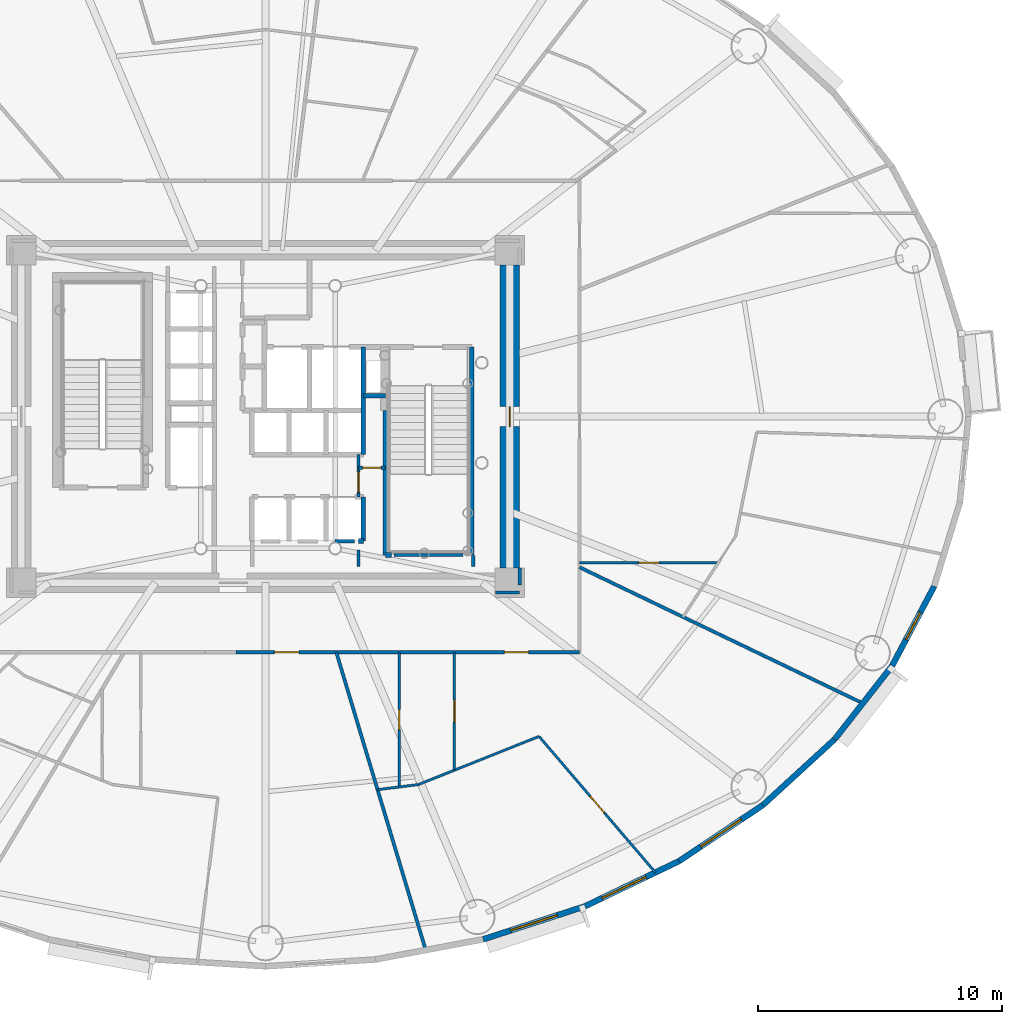
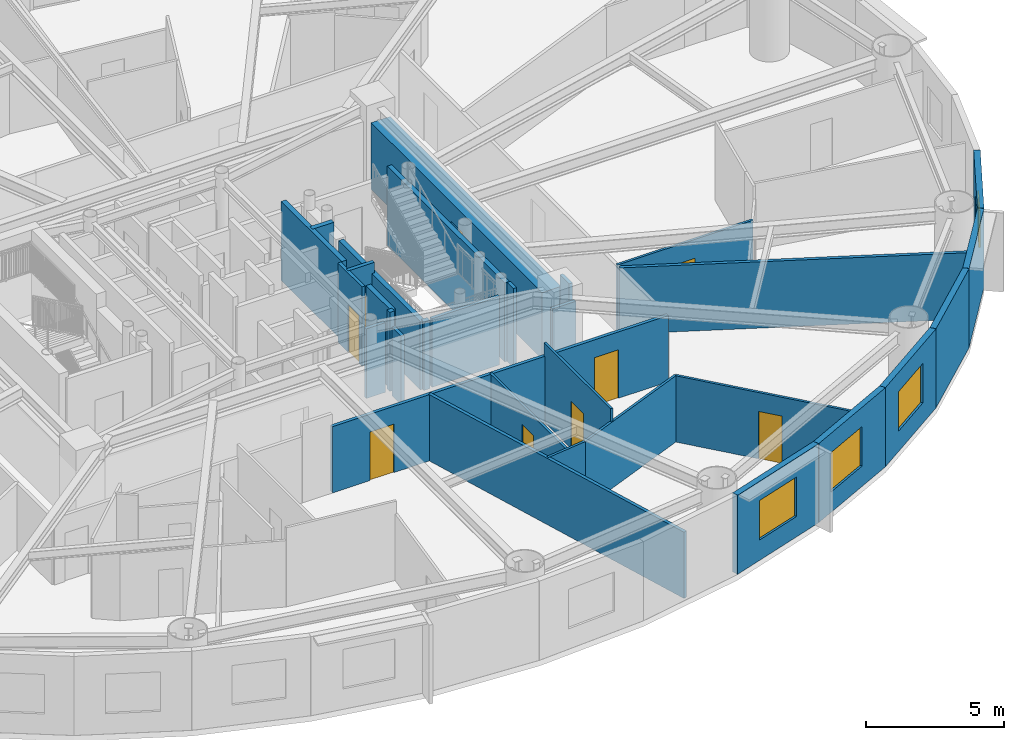
# One storey, part 9 of 18: 31 walls, 9 doors, 4 windows, 13 openings.
"""IFC4 building model written with IfcOpenShell, lengths in metres."""

from ifc_helpers import new_model, si_unit, direction, frame, frame_2d, origin, origin_2d, place, context, subcontext, project, spatial, rectangle, extrude, source, transform, mapped, material, layer, layer_set, type_object, element, fill, save


model = new_model("IFC4")

# Units and contexts
model_context = context("Model", 3, precision=1e-05, world=origin(), true_north=direction((0.0, 1.0)))
body_context = subcontext(model_context, "Body", "Model", "MODEL_VIEW")
ifc_project = project(units=[si_unit("LENGTHUNIT", "METRE"), si_unit("AREAUNIT", "SQUARE_METRE"), si_unit("VOLUMEUNIT", "CUBIC_METRE"), si_unit("PLANEANGLEUNIT", "RADIAN"), si_unit("MASSUNIT", "GRAM", prefix="KILO")], contexts=[model_context])

# Site, building, storey
site_placement = place(None, origin())
site = spatial("IfcSite", under=ifc_project, at=site_placement, CompositionType="ELEMENT")
building_placement = place(site_placement, origin())
building = spatial("IfcBuilding", under=site, at=building_placement, Name="Linh Dai School and Residence Tower", CompositionType="ELEMENT")
storey_placement = place(building_placement, frame((0.0, 0.0, 104.699951171875)))
storey = spatial("IfcBuildingStorey", under=building, at=storey_placement, Name="L24", CompositionType="ELEMENT", Elevation=104.699951171875)

# Wall, opening, window
ifc_material_1 = material(Name="Precast Concrete B45 (C35/45)", Category="concrete")
ifc_layer_1 = layer(ifc_material_1, 0.239990234375)
ifc_layer_set_1 = layer_set([ifc_layer_1], Name="Precast Concrete B45 (C35/45)")
wall_type_1 = type_object("IfcWallType", Name="EW-TC-240", PredefinedType="SOLIDWALL", material=ifc_layer_set_1)
wall_1_placement = place(storey_placement, frame((49.073974609375, 6.95263671875, 0.0), z_axis=(0.0, 0.0, 1.0), x_axis=(-0.951211346073, -0.308540070495, 0.0)))
wall_1 = element("IfcWall", 1, at=wall_1_placement, inside=storey, type_object=wall_type_1, Name="L24 Terracotta Exterior Wall 33", PredefinedType="SOLIDWALL", context=body_context, shape_type="SweptSolid", body=[
    extrude(rectangle(XDim=4.388427734375, YDim=0.239990234375, at=frame_2d((2.1943359375, 0.0))), origin(), (0.0, 0.0, 1.0), 3.5),
])
opening_1_placement = place(wall_1_placement, frame((1.1943359375, 0.0, 0.89990234375)))
opening_1 = element("IfcOpeningElement", 2, at=opening_1_placement, cuts=wall_1, Name="Opening W1", PredefinedType="OPENING", context=body_context, shape_type="SweptSolid", body=[
    extrude(rectangle(XDim=2.0, YDim=1.75, at=origin_2d()), frame((1.0, 0.1298828125, 0.875), z_axis=(0.0, -1.0, 0.0), x_axis=(1.0, 0.0, 0.0)), (0.0, 0.0, 1.0), 0.260009765625),
])
ifc_material_2 = material(Name="Double Low-E Insulated Glazing", Category="glass")
window_type_1 = type_object("IfcWindowType", Name="WN-RES-2000x1750", PartitioningType="DOUBLE_PANEL_VERTICAL", PredefinedType="WINDOW", material=ifc_material_2)
shared_shape_1 = source(origin(), body_context, "Body", "SweptSolid", [
    extrude(rectangle(XDim=2.0, YDim=1.75, at=origin_2d()), frame((1.0, 0.030029296875, 0.875), z_axis=(0.0, -1.0, 0.0), x_axis=(1.0, 0.0, 0.0)), (0.0, 0.0, 1.0), 0.06005859375),
])
window_1_placement = place(opening_1_placement, origin())
window_1 = element("IfcWindow", 3, at=window_1_placement, inside=storey, type_object=window_type_1, Name="L24 Exterior Window 33.1", OverallHeight=1.75, OverallWidth=2.0, PartitioningType="DOUBLE_PANEL_VERTICAL", PredefinedType="WINDOW", context=body_context, shape_type="MappedRepresentation", body=[
    mapped(shared_shape_1, transform((0.0, 0.0, 0.0), x_axis=(1.0, 0.0, 0.0), y_axis=(0.0, 1.0, 0.0), z_axis=(0.0, 0.0, 1.0), scale=1.0)),
])
fill(opening_1, window_1)

wall_2_placement = place(storey_placement, frame((52.92529296875, 8.800537109375, 0.0), z_axis=(0.0, 0.0, 1.0), x_axis=(-0.901589935876, -0.432591709962, 0.0)))
wall_2 = element("IfcWall", 4, at=wall_2_placement, inside=storey, type_object=wall_type_1, Name="L24 Terracotta Exterior Wall 34", PredefinedType="SOLIDWALL", context=body_context, shape_type="SweptSolid", body=[
    extrude(rectangle(XDim=4.271728515625, YDim=0.239990234375, at=frame_2d((2.1357421875, 0.0))), origin(), (0.0, 0.0, 1.0), 3.5),
])
opening_2_placement = place(wall_2_placement, frame((1.4951171875, 0.0, 0.89990234375)))
opening_2 = element("IfcOpeningElement", 5, at=opening_2_placement, cuts=wall_2, Name="Opening W1", PredefinedType="OPENING", context=body_context, shape_type="SweptSolid", body=[
    extrude(rectangle(XDim=2.0, YDim=1.75, at=origin_2d()), frame((1.0, 0.1298828125, 0.875), z_axis=(0.0, -1.0, 0.0), x_axis=(1.0, 0.0, 0.0)), (0.0, 0.0, 1.0), 0.260009765625),
])
window_2_placement = place(opening_2_placement, origin())
window_2 = element("IfcWindow", 6, at=window_2_placement, inside=storey, type_object=window_type_1, Name="L24 Exterior Window 34.1", OverallHeight=1.75, OverallWidth=2.0, PartitioningType="DOUBLE_PANEL_VERTICAL", PredefinedType="WINDOW", context=body_context, shape_type="MappedRepresentation", body=[
    mapped(shared_shape_1, transform((0.0, 0.0, 0.0), x_axis=(1.0, 0.0, 0.0), y_axis=(0.0, 1.0, 0.0), z_axis=(0.0, 0.0, 1.0), scale=1.0)),
])
fill(opening_2, window_2)

wall_3_placement = place(storey_placement, frame((56.3583984375, 11.0966796875, 0.0), z_axis=(0.0, 0.0, 1.0), x_axis=(-0.831221811447, -0.555940914284, 0.0)))
wall_3 = element("IfcWall", 7, at=wall_3_placement, inside=storey, type_object=wall_type_1, Name="L24 Terracotta Exterior Wall 35", PredefinedType="SOLIDWALL", context=body_context, shape_type="SweptSolid", body=[
    extrude(rectangle(XDim=4.130126953125, YDim=0.239990234375, at=frame_2d((2.06494140625, 0.0))), origin(), (0.0, 0.0, 1.0), 3.5),
])
opening_3_placement = place(wall_3_placement, frame((1.065185546875, 0.0, 0.89990234375)))
opening_3 = element("IfcOpeningElement", 8, at=opening_3_placement, cuts=wall_3, Name="Opening W1", PredefinedType="OPENING", context=body_context, shape_type="SweptSolid", body=[
    extrude(rectangle(XDim=2.0, YDim=1.75, at=origin_2d()), frame((1.0, 0.1298828125, 0.875), z_axis=(0.0, -1.0, 0.0), x_axis=(1.0, 0.0, 0.0)), (0.0, 0.0, 1.0), 0.260009765625),
])
window_3_placement = place(opening_3_placement, origin())
window_3 = element("IfcWindow", 9, at=window_3_placement, inside=storey, type_object=window_type_1, Name="L24 Exterior Window 35.1", OverallHeight=1.75, OverallWidth=2.0, PartitioningType="DOUBLE_PANEL_VERTICAL", PredefinedType="WINDOW", context=body_context, shape_type="MappedRepresentation", body=[
    mapped(shared_shape_1, transform((0.0, 0.0, 0.0), x_axis=(1.0, 0.0, 0.0), y_axis=(0.0, 1.0, 0.0), z_axis=(0.0, 0.0, 1.0), scale=1.0)),
])
fill(opening_3, window_3)

# Walls
wall_4_placement = place(storey_placement, frame((59.2890625, 13.783447265625, 0.0), z_axis=(0.0, 0.0, 1.0), x_axis=(-0.737113356241, -0.675769117414, 0.0)))
element("IfcWall", 10, at=wall_4_placement, inside=storey, type_object=wall_type_1, Name="L24 Terracotta Exterior Wall 36", PredefinedType="SOLIDWALL", context=body_context, shape_type="SweptSolid", body=[
    extrude(rectangle(XDim=3.975830078125, YDim=0.239990234375, at=frame_2d((1.98779296875, 0.0))), origin(), (0.0, 0.0, 1.0), 3.5),
])
wall_5_placement = place(storey_placement, frame((61.645263671875, 16.79443359375, 0.0), z_axis=(0.0, 0.0, 1.0), x_axis=(-0.616272103517, -0.787533297345, 0.0)))
element("IfcWall", 11, at=wall_5_placement, inside=storey, type_object=wall_type_1, Name="L24 Terracotta Exterior Wall 37", PredefinedType="SOLIDWALL", context=body_context, shape_type="SweptSolid", body=[
    extrude(rectangle(XDim=3.8232421875, YDim=0.239990234375, at=frame_2d((1.91162109375, 0.0))), origin(), (0.0, 0.0, 1.0), 3.5),
])

# Wall, opening, window
wall_6_placement = place(storey_placement, frame((63.3701171875, 20.054931640625, 0.0), z_axis=(0.0, 0.0, 1.0), x_axis=(-0.467614004126, -0.883932770716, 0.0)))
wall_6 = element("IfcWall", 12, at=wall_6_placement, inside=storey, type_object=wall_type_1, Name="L24 Terracotta Exterior Wall 38", PredefinedType="SOLIDWALL", context=body_context, shape_type="SweptSolid", body=[
    extrude(rectangle(XDim=3.688720703125, YDim=0.239990234375, at=frame_2d((1.84423828125, 0.0))), origin(), (0.0, 0.0, 1.0), 3.5),
])
opening_4_placement = place(wall_6_placement, frame((1.21923828125, 0.0, 0.89990234375)))
opening_4 = element("IfcOpeningElement", 13, at=opening_4_placement, cuts=wall_6, Name="Opening W3", PredefinedType="OPENING", context=body_context, shape_type="SweptSolid", body=[
    extrude(rectangle(XDim=1.25, YDim=1.64990234375, at=origin_2d()), frame((0.625, 0.1298828125, 0.824951171875), z_axis=(0.0, -1.0, 0.0), x_axis=(1.0, 0.0, 0.0)), (0.0, 0.0, 1.0), 0.260009765625),
])
window_type_2 = type_object("IfcWindowType", Name="WN-RES-1250x1650", PartitioningType="SINGLE_PANEL", PredefinedType="WINDOW", material=ifc_material_2)
shared_shape_2 = source(origin(), body_context, "Body", "SweptSolid", [
    extrude(rectangle(XDim=1.25, YDim=1.64990234375, at=origin_2d()), frame((0.625, 0.030029296875, 0.824951171875), z_axis=(0.0, -1.0, 0.0), x_axis=(1.0, 0.0, 0.0)), (0.0, 0.0, 1.0), 0.06005859375),
])
window_4_placement = place(opening_4_placement, origin())
window_4 = element("IfcWindow", 14, at=window_4_placement, inside=storey, type_object=window_type_2, Name="L24 Dwelling Window U2409-BD1", OverallHeight=1.64990234375, OverallWidth=1.25, PartitioningType="SINGLE_PANEL", PredefinedType="WINDOW", context=body_context, shape_type="MappedRepresentation", body=[
    mapped(shared_shape_2, transform((0.0, 0.0, 0.0), x_axis=(1.0, 0.0, 0.0), y_axis=(0.0, 1.0, 0.0), z_axis=(0.0, 0.0, 1.0), scale=1.0)),
])
fill(opening_4, window_4)

# Wall, openings, doors
ifc_material_3 = material(Name="Autoclaved Aerated Concrete Blockwork", Category="masonry")
ifc_layer_2 = layer(ifc_material_3, 0.135009765625)
ifc_layer_set_2 = layer_set([ifc_layer_2], Name="Autoclaved Aerated Concrete Blockwork")
wall_type_2 = type_object("IfcWallType", Name="IW-CORR-135-EI90", PredefinedType="PARTITIONING", material=ifc_layer_set_2)
wall_7_placement = place(storey_placement, frame((34.794921875, 17.35009765625, 0.0), z_axis=(0.0, 0.0, 1.0), x_axis=(1.0, 0.0, 0.0)))
wall_7 = element("IfcWall", 15, at=wall_7_placement, inside=storey, type_object=wall_type_2, Name="L24 Interior Partition Wall 041", PredefinedType="PARTITIONING", context=body_context, shape_type="SweptSolid", body=[
    extrude(rectangle(XDim=14.05517578125, YDim=0.135009765625, at=frame_2d((7.027587890625, 0.0))), origin(), (0.0, 0.0, 1.0), 2.93505859375),
])
opening_5_placement = place(wall_7_placement, frame((1.570556640625, 0.0, 0.0)))
opening_5 = element("IfcOpeningElement", 16, at=opening_5_placement, cuts=wall_7, Name="Opening D03", PredefinedType="OPENING", context=body_context, shape_type="SweptSolid", body=[
    extrude(rectangle(XDim=1.0, YDim=2.14990234375, at=origin_2d()), frame((0.5, 0.07763671875, 1.074951171875), z_axis=(0.0, -1.0, 0.0), x_axis=(1.0, 0.0, 0.0)), (0.0, 0.0, 1.0), 0.155029296875),
])
opening_6_placement = place(wall_7_placement, frame((10.97607421875, 0.0, 0.0)))
opening_6 = element("IfcOpeningElement", 17, at=opening_6_placement, cuts=wall_7, Name="Opening D03", PredefinedType="OPENING", context=body_context, shape_type="SweptSolid", body=[
    extrude(rectangle(XDim=1.0, YDim=2.14990234375, at=origin_2d()), frame((0.5, 0.07763671875, 1.074951171875), z_axis=(0.0, -1.0, 0.0), x_axis=(1.0, 0.0, 0.0)), (0.0, 0.0, 1.0), 0.155029296875),
])
ifc_material_4 = material(Name="Fire-Rated Solid Timber Entrance Door", Category="wood")
door_type_1 = type_object("IfcDoorType", Name="DR-FLAT-1000x2150-FD60S", OperationType="NOTDEFINED", PredefinedType="DOOR", material=ifc_material_4)
shared_shape_3 = source(origin(), body_context, "Body", "SweptSolid", [
    extrude(rectangle(XDim=1.0, YDim=2.14990234375, at=origin_2d()), frame((0.5, 0.02490234375, 1.074951171875), z_axis=(0.0, -1.0, 0.0), x_axis=(1.0, 0.0, 0.0)), (0.0, 0.0, 1.0), 0.050048828125),
])
door_1_placement = place(opening_5_placement, origin())
door_1 = element("IfcDoor", 18, at=door_1_placement, inside=storey, type_object=door_type_1, Name="L24 U2407 Apartment Entrance Door", OperationType="SINGLE_SWING_RIGHT", OverallHeight=2.14990234375, OverallWidth=1.0, PredefinedType="DOOR", context=body_context, shape_type="MappedRepresentation", body=[
    mapped(shared_shape_3, transform((0.0, 0.0, 0.0), x_axis=(1.0, 0.0, 0.0), y_axis=(0.0, 1.0, 0.0), z_axis=(0.0, 0.0, 1.0), scale=1.0)),
])
fill(opening_5, door_1)
door_2_placement = place(opening_6_placement, origin())
door_2 = element("IfcDoor", 19, at=door_2_placement, inside=storey, type_object=door_type_1, Name="L24 U2408 Apartment Entrance Door", OperationType="SINGLE_SWING_RIGHT", OverallHeight=2.14990234375, OverallWidth=1.0, PredefinedType="DOOR", context=body_context, shape_type="MappedRepresentation", body=[
    mapped(shared_shape_3, transform((0.0, 0.0, 0.0), x_axis=(1.0, 0.0, 0.0), y_axis=(0.0, 1.0, 0.0), z_axis=(0.0, 0.0, 1.0), scale=1.0)),
])
fill(opening_6, door_2)

# Wall
wall_8_placement = place(storey_placement, frame((38.896240234375, 17.35009765625, 0.0), z_axis=(0.0, 0.0, 1.0), x_axis=(0.287463970392, -0.957791452105, 0.0)))
element("IfcWall", 20, at=wall_8_placement, inside=storey, type_object=wall_type_2, Name="L24 Interior Partition Wall 065", PredefinedType="PARTITIONING", context=body_context, shape_type="SweptSolid", body=[
    extrude(rectangle(XDim=12.734375, YDim=0.135009765625, at=frame_2d((6.3671875, 0.0))), origin(), (0.0, 0.0, 1.0), 2.93505859375),
])

# Wall, opening, door
wall_9_placement = place(storey_placement, frame((39.800048828125, 23.699951171875, 0.0), z_axis=(0.0, 0.0, 1.0), x_axis=(0.0, 1.0, 0.0)))
wall_9 = element("IfcWall", 21, at=wall_9_placement, inside=storey, type_object=wall_type_2, Name="L24 Interior Partition Wall 067", PredefinedType="PARTITIONING", context=body_context, shape_type="SweptSolid", body=[
    extrude(rectangle(XDim=1.75, YDim=0.135009765625, at=frame_2d((0.875, 0.0))), origin(), (0.0, 0.0, 1.0), 3.5),
])
opening_7_placement = place(wall_9_placement, frame((0.2099609375, 0.0, 0.0)))
opening_7 = element("IfcOpeningElement", 22, at=opening_7_placement, cuts=wall_9, Name="Opening D06", PredefinedType="OPENING", context=body_context, shape_type="SweptSolid", body=[
    extrude(rectangle(XDim=0.820068359375, YDim=2.10009765625, at=origin_2d()), frame((0.41015625, 0.07763671875, 1.050048828125), z_axis=(0.0, -1.0, 0.0), x_axis=(1.0, 0.0, 0.0)), (0.0, 0.0, 1.0), 0.155029296875),
])
ifc_material_5 = material(Name="Moisture-Resistant Timber Bathroom Door", Category="wood")
door_type_2 = type_object("IfcDoorType", Name="DR-WET-820x2100", OperationType="NOTDEFINED", PredefinedType="DOOR", material=ifc_material_5)
shared_shape_4 = source(origin(), body_context, "Body", "SweptSolid", [
    extrude(rectangle(XDim=0.820068359375, YDim=2.10009765625, at=origin_2d()), frame((0.41015625, 0.02490234375, 1.050048828125), z_axis=(0.0, -1.0, 0.0), x_axis=(1.0, 0.0, 0.0)), (0.0, 0.0, 1.0), 0.050048828125),
])
door_3_placement = place(opening_7_placement, origin())
door_3 = element("IfcDoor", 23, at=door_3_placement, inside=storey, type_object=door_type_2, Name="L24 SE Electrical Closet Door", OperationType="SINGLE_SWING_RIGHT", OverallHeight=2.10009765625, OverallWidth=0.820068359375, PredefinedType="DOOR", context=body_context, shape_type="MappedRepresentation", body=[
    mapped(shared_shape_4, transform((0.0, 0.0, 0.0), x_axis=(1.0, 0.0, 0.0), y_axis=(0.0, 1.0, 0.0), z_axis=(0.0, 0.0, 1.0), scale=1.0)),
])
fill(opening_7, door_3)

# Walls
wall_10_placement = place(storey_placement, frame((48.85009765625, 20.830322265625, 0.0), z_axis=(0.0, 0.0, 1.0), x_axis=(0.901472427533, -0.432836530803, 0.0)))
element("IfcWall", 24, at=wall_10_placement, inside=storey, type_object=wall_type_2, Name="L24 Interior Partition Wall 087", PredefinedType="PARTITIONING", context=body_context, shape_type="SweptSolid", body=[
    extrude(rectangle(XDim=12.86865234375, YDim=0.135009765625, at=frame_2d((6.434326171875, 0.0))), origin(), (0.0, 0.0, 1.0), 2.93505859375),
])
wall_11_placement = place(storey_placement, frame((44.080078125, 21.330078125, 0.0), z_axis=(0.0, 0.0, 1.0), x_axis=(-1.0, 0.0, 0.0)))
element("IfcWall", 25, at=wall_11_placement, inside=storey, type_object=wall_type_2, Name="L24 Interior Partition Wall 098", PredefinedType="PARTITIONING", context=body_context, shape_type="SweptSolid", body=[
    extrude(rectangle(XDim=2.820068359375, YDim=0.135009765625, at=frame_2d((1.41015625, 0.0))), origin(), (0.0, 0.0, 1.0), 3.03515625),
])
wall_12_placement = place(storey_placement, frame((39.639892578125, 21.89990234375, 0.0), z_axis=(0.0, 0.0, 1.0), x_axis=(-1.0, 0.0, 0.0)))
element("IfcWall", 26, at=wall_12_placement, inside=storey, type_object=wall_type_2, Name="L24 Interior Partition Wall 101", PredefinedType="PARTITIONING", context=body_context, shape_type="SweptSolid", body=[
    extrude(rectangle(XDim=0.7998046875, YDim=0.135009765625, at=frame_2d((0.39990234375, 0.0))), origin(), (0.0, 0.0, 1.0), 3.0849609375),
])
wall_13_placement = place(storey_placement, frame((39.800048828125, 20.860107421875, 0.0), z_axis=(0.0, 0.0, 1.0), x_axis=(0.0, 1.0, 0.0)))
element("IfcWall", 27, at=wall_13_placement, inside=storey, type_object=wall_type_2, Name="L24 Interior Partition Wall 103", PredefinedType="PARTITIONING", context=body_context, shape_type="SweptSolid", body=[
    extrude(rectangle(XDim=0.679931640625, YDim=0.135009765625, at=frame_2d((0.33984375, 0.0))), origin(), (0.0, 0.0, 1.0), 3.03515625),
])
wall_14_placement = place(storey_placement, frame((44.5, 20.860107421875, 0.0), z_axis=(0.0, 0.0, 1.0), x_axis=(0.0, 1.0, 0.0)))
element("IfcWall", 28, at=wall_14_placement, inside=storey, type_object=wall_type_2, Name="L24 Interior Partition Wall 105", PredefinedType="PARTITIONING", context=body_context, shape_type="SweptSolid", body=[
    extrude(rectangle(XDim=0.4599609375, YDim=0.135009765625, at=frame_2d((0.22998046875, 0.0))), origin(), (0.0, 0.0, 1.0), 3.5),
])
wall_15_placement = place(storey_placement, frame((45.409912109375, 19.800048828125, 0.0), z_axis=(0.0, 0.0, 1.0), x_axis=(1.0, 0.0, 0.0)))
element("IfcWall", 29, at=wall_15_placement, inside=storey, type_object=wall_type_2, Name="L24 Interior Partition Wall 115", PredefinedType="PARTITIONING", context=body_context, shape_type="SweptSolid", body=[
    extrude(rectangle(XDim=0.989990234375, YDim=0.135009765625, at=frame_2d((0.4951171875, 0.0))), origin(), (0.0, 0.0, 1.0), 2.93505859375),
])
wall_16_placement = place(storey_placement, frame((46.39990234375, 20.107421875, 0.0), z_axis=(0.0, 0.0, 1.0), x_axis=(0.0, 1.0, 0.0)))
element("IfcWall", 30, at=wall_16_placement, inside=storey, type_object=wall_type_2, Name="L24 Interior Partition Wall 116", PredefinedType="PARTITIONING", context=body_context, shape_type="SweptSolid", body=[
    extrude(rectangle(XDim=0.6826171875, YDim=0.135009765625, at=frame_2d((0.34130859375, 0.0))), origin(), (0.0, 0.0, 1.0), 3.5),
])

# Wall, opening, door
ifc_layer_3 = layer(ifc_material_3, 0.14990234375)
ifc_layer_set_3 = layer_set([ifc_layer_3], Name="Autoclaved Aerated Concrete Blockwork")
wall_type_3 = type_object("IfcWallType", Name="IW-SCH-150-EI60", PredefinedType="PARTITIONING", material=ifc_layer_set_3)
wall_17_placement = place(storey_placement, frame((39.800048828125, 24.89990234375, 0.0), z_axis=(0.0, 0.0, 1.0), x_axis=(1.0, 0.0, 0.0)))
wall_17 = element("IfcWall", 31, at=wall_17_placement, inside=storey, type_object=wall_type_3, Name="L24 Interior Partition Wall 068", PredefinedType="PARTITIONING", context=body_context, shape_type="SweptSolid", body=[
    extrude(rectangle(XDim=1.099853515625, YDim=0.14990234375, at=frame_2d((0.5498046875, 0.0))), origin(), (0.0, 0.0, 1.0), 3.5),
])
opening_8_placement = place(wall_17_placement, frame((0.169921875, 0.0, 0.0)))
opening_8 = element("IfcOpeningElement", 32, at=opening_8_placement, cuts=wall_17, Name="Opening D08", PredefinedType="OPENING", context=body_context, shape_type="SweptSolid", body=[
    extrude(rectangle(XDim=0.760009765625, YDim=2.10009765625, at=origin_2d()), frame((0.3798828125, 0.0849609375, 1.050048828125), z_axis=(0.0, -1.0, 0.0), x_axis=(1.0, 0.0, 0.0)), (0.0, 0.0, 1.0), 0.169921875),
])
ifc_material_6 = material(Name="Engineered Timber Closet and Study Door", Category="wood")
door_type_3 = type_object("IfcDoorType", Name="DR-CMP-760x2100", OperationType="NOTDEFINED", PredefinedType="DOOR", material=ifc_material_6)
shared_shape_5 = source(origin(), body_context, "Body", "SweptSolid", [
    extrude(rectangle(XDim=0.760009765625, YDim=2.10009765625, at=origin_2d()), frame((0.3798828125, 0.02490234375, 1.050048828125), z_axis=(0.0, -1.0, 0.0), x_axis=(1.0, 0.0, 0.0)), (0.0, 0.0, 1.0), 0.050048828125),
])
door_4_placement = place(opening_8_placement, origin())
door_4 = element("IfcDoor", 33, at=door_4_placement, inside=storey, type_object=door_type_3, Name="L24 NE Equipment Store Door", OperationType="SINGLE_SWING_LEFT", OverallHeight=2.10009765625, OverallWidth=0.760009765625, PredefinedType="DOOR", context=body_context, shape_type="MappedRepresentation", body=[
    mapped(shared_shape_5, transform((0.0, 0.0, 0.0), x_axis=(1.0, 0.0, 0.0), y_axis=(0.0, 1.0, 0.0), z_axis=(0.0, 0.0, 1.0), scale=1.0)),
])
fill(opening_8, door_4)

# Walls
ifc_material_7 = material(Name="Concrete B45 (C35/45)", Category="concrete")
ifc_layer_4 = layer(ifc_material_7, 0.199951171875)
ifc_layer_set_4 = layer_set([ifc_layer_4], Name="Concrete B45 (C35/45)")
wall_type_4 = type_object("IfcWallType", Name="IW-SHAFT-200-EI120", PredefinedType="PARTITIONING", material=ifc_layer_set_4)
wall_18_placement = place(storey_placement, frame((39.800048828125, 21.89990234375, 0.0), z_axis=(0.0, 0.0, 1.0), x_axis=(1.0, 0.0, 0.0)))
element("IfcWall", 34, at=wall_18_placement, inside=storey, type_object=wall_type_4, Name="L24 Interior Partition Wall 066", PredefinedType="PARTITIONING", context=body_context, shape_type="SweptSolid", body=[
    extrude(rectangle(XDim=0.199951171875, YDim=0.199951171875, at=frame_2d((0.10009765625, 0.0))), origin(), (0.0, 0.0, 1.0), 3.5),
])
wall_19_placement = place(storey_placement, frame((40.0, 21.89990234375, 0.0), z_axis=(0.0, 0.0, 1.0), x_axis=(0.0, 1.0, 0.0)))
element("IfcWall", 35, at=wall_19_placement, inside=storey, type_object=wall_type_4, Name="L24 Interior Partition Wall 070", PredefinedType="PARTITIONING", context=body_context, shape_type="SweptSolid", body=[
    extrude(rectangle(XDim=1.800048828125, YDim=0.199951171875, at=frame_2d((0.89990234375, 0.0))), origin(), (0.0, 0.0, 1.0), 3.5),
])
wall_20_placement = place(storey_placement, frame((40.0, 25.449951171875, 0.0), z_axis=(0.0, 0.0, 1.0), x_axis=(0.0, 1.0, 0.0)))
element("IfcWall", 36, at=wall_20_placement, inside=storey, type_object=wall_type_4, Name="L24 Interior Partition Wall 071", PredefinedType="PARTITIONING", context=body_context, shape_type="SweptSolid", body=[
    extrude(rectangle(XDim=4.400146484375, YDim=0.199951171875, at=frame_2d((2.2001953125, 0.0))), origin(), (0.0, 0.0, 1.0), 3.5),
])
wall_21_placement = place(storey_placement, frame((40.0, 27.85009765625, 0.0), z_axis=(0.0, 0.0, 1.0), x_axis=(1.0, 0.0, 0.0)))
element("IfcWall", 37, at=wall_21_placement, inside=storey, type_object=wall_type_4, Name="L24 Interior Partition Wall 072", PredefinedType="PARTITIONING", context=body_context, shape_type="SweptSolid", body=[
    extrude(rectangle(XDim=0.89990234375, YDim=0.199951171875, at=frame_2d((0.449951171875, 0.0))), origin(), (0.0, 0.0, 1.0), 3.5),
])
wall_22_placement = place(storey_placement, frame((40.89990234375, 21.330078125, 0.0), z_axis=(0.0, 0.0, 1.0), x_axis=(0.0, 1.0, 0.0)))
element("IfcWall", 38, at=wall_22_placement, inside=storey, type_object=wall_type_4, Name="L24 Interior Partition Wall 074", PredefinedType="PARTITIONING", context=body_context, shape_type="SweptSolid", body=[
    extrude(rectangle(XDim=5.909912109375, YDim=0.199951171875, at=frame_2d((2.955078125, 0.0))), origin(), (0.0, 0.0, 1.0), 3.03515625),
])
wall_23_placement = place(storey_placement, frame((40.89990234375, 21.330078125, 0.0), z_axis=(0.0, 0.0, 1.0), x_axis=(1.0, 0.0, 0.0)))
element("IfcWall", 39, at=wall_23_placement, inside=storey, type_object=wall_type_4, Name="L24 Interior Partition Wall 075", PredefinedType="PARTITIONING", context=body_context, shape_type="SweptSolid", body=[
    extrude(rectangle(XDim=0.25, YDim=0.199951171875, at=frame_2d((0.125, 0.0))), origin(), (0.0, 0.0, 1.0), 3.03515625),
])
wall_24_placement = place(storey_placement, frame((44.43994140625, 21.330078125, 0.0), z_axis=(0.0, 0.0, 1.0), x_axis=(0.0, 1.0, 0.0)))
element("IfcWall", 40, at=wall_24_placement, inside=storey, type_object=wall_type_4, Name="L24 Interior Partition Wall 080", PredefinedType="PARTITIONING", context=body_context, shape_type="SweptSolid", body=[
    extrude(rectangle(XDim=8.52001953125, YDim=0.199951171875, at=frame_2d((4.260009765625, 0.0))), origin(), (0.0, 0.0, 1.0), 3.5),
])
ifc_material_8 = material(Name="Gypsum Plasterboard Acoustic Stud Partition", Category="masonry")
ifc_layer_5 = layer(ifc_material_8, 0.10009765625)
ifc_layer_set_5 = layer_set([ifc_layer_5], Name="Gypsum Plasterboard Acoustic Stud Partition")
wall_type_5 = type_object("IfcWallType", Name="IW-UNIT-100", PredefinedType="PARTITIONING", material=ifc_layer_set_5)
wall_25_placement = place(storey_placement, frame((40.583740234375, 11.7275390625, 0.0), z_axis=(0.0, 0.0, 1.0), x_axis=(0.992400317705, 0.123051247123, 0.0)))
element("IfcWall", 41, at=wall_25_placement, inside=storey, type_object=wall_type_5, Name="L24 Interior Partition Wall 073", PredefinedType="PARTITIONING", context=body_context, shape_type="SweptSolid", body=[
    extrude(rectangle(XDim=1.680419921875, YDim=0.10009765625, at=frame_2d((0.84033203125, 0.0))), origin(), (0.0, 0.0, 1.0), 2.93505859375),
])

# Wall, opening, door
wall_26_placement = place(storey_placement, frame((41.468505859375, 11.837158203125, 0.0), z_axis=(0.0, 0.0, 1.0), x_axis=(0.0, 1.0, 0.0)))
wall_26 = element("IfcWall", 42, at=wall_26_placement, inside=storey, type_object=wall_type_5, Name="L24 Interior Partition Wall 076", PredefinedType="PARTITIONING", context=body_context, shape_type="SweptSolid", body=[
    extrude(rectangle(XDim=5.512939453125, YDim=0.10009765625, at=frame_2d((2.75634765625, 0.0))), origin(), (0.0, 0.0, 1.0), 2.93505859375),
])
opening_9_placement = place(wall_26_placement, frame((2.346435546875, 0.0, 0.0)))
opening_9 = element("IfcOpeningElement", 43, at=opening_9_placement, cuts=wall_26, Name="Opening D06", PredefinedType="OPENING", context=body_context, shape_type="SweptSolid", body=[
    extrude(rectangle(XDim=0.820068359375, YDim=2.10009765625, at=origin_2d()), frame((0.41015625, 0.06005859375, 1.050048828125), z_axis=(0.0, -1.0, 0.0), x_axis=(1.0, 0.0, 0.0)), (0.0, 0.0, 1.0), 0.1201171875),
])
door_5_placement = place(opening_9_placement, origin())
door_5 = element("IfcDoor", 44, at=door_5_placement, inside=storey, type_object=door_type_2, Name="L24 Apartment U2408 Bathroom 1 Door", OperationType="SINGLE_SWING_LEFT", OverallHeight=2.10009765625, OverallWidth=0.820068359375, PredefinedType="DOOR", context=body_context, shape_type="MappedRepresentation", body=[
    mapped(shared_shape_4, transform((0.0, 0.0, 0.0), x_axis=(1.0, 0.0, 0.0), y_axis=(0.0, 1.0, 0.0), z_axis=(0.0, 0.0, 1.0), scale=1.0)),
])
fill(opening_9, door_5)

# Wall
wall_27_placement = place(storey_placement, frame((42.25146484375, 11.934326171875, 0.0), z_axis=(0.0, 0.0, 1.0), x_axis=(0.928805351872, 0.370567967226, 0.0)))
element("IfcWall", 45, at=wall_27_placement, inside=storey, type_object=wall_type_5, Name="L24 Interior Partition Wall 077", PredefinedType="PARTITIONING", context=body_context, shape_type="SweptSolid", body=[
    extrude(rectangle(XDim=5.322021484375, YDim=0.10009765625, at=frame_2d((2.6611328125, 0.0))), origin(), (0.0, 0.0, 1.0), 2.93505859375),
])

# Wall, opening, door
wall_28_placement = place(storey_placement, frame((43.73193359375, 12.525146484375, 0.0), z_axis=(0.0, 0.0, 1.0), x_axis=(0.0, 1.0, 0.0)))
wall_28 = element("IfcWall", 46, at=wall_28_placement, inside=storey, type_object=wall_type_5, Name="L24 Interior Partition Wall 079", PredefinedType="PARTITIONING", context=body_context, shape_type="SweptSolid", body=[
    extrude(rectangle(XDim=4.824951171875, YDim=0.10009765625, at=frame_2d((2.41259765625, 0.0))), origin(), (0.0, 0.0, 1.0), 3.5),
])
opening_10_placement = place(wall_28_placement, frame((1.96240234375, 0.0, 0.0)))
opening_10 = element("IfcOpeningElement", 47, at=opening_10_placement, cuts=wall_28, Name="Opening D05", PredefinedType="OPENING", context=body_context, shape_type="SweptSolid", body=[
    extrude(rectangle(XDim=0.89990234375, YDim=2.10009765625, at=origin_2d()), frame((0.449951171875, 0.06005859375, 1.050048828125), z_axis=(0.0, -1.0, 0.0), x_axis=(1.0, 0.0, 0.0)), (0.0, 0.0, 1.0), 0.1201171875),
])
ifc_material_9 = material(Name="Engineered Timber Internal Door", Category="wood")
door_type_4 = type_object("IfcDoorType", Name="DR-INT-900x2100", OperationType="NOTDEFINED", PredefinedType="DOOR", material=ifc_material_9)
shared_shape_6 = source(origin(), body_context, "Body", "SweptSolid", [
    extrude(rectangle(XDim=0.89990234375, YDim=2.10009765625, at=origin_2d()), frame((0.449951171875, 0.02490234375, 1.050048828125), z_axis=(0.0, -1.0, 0.0), x_axis=(1.0, 0.0, 0.0)), (0.0, 0.0, 1.0), 0.050048828125),
])
door_6_placement = place(opening_10_placement, origin())
door_6 = element("IfcDoor", 48, at=door_6_placement, inside=storey, type_object=door_type_4, Name="L24 Apartment U2408 Kitchen Door", OperationType="SINGLE_SWING_RIGHT", OverallHeight=2.10009765625, OverallWidth=0.89990234375, PredefinedType="DOOR", context=body_context, shape_type="MappedRepresentation", body=[
    mapped(shared_shape_6, transform((0.0, 0.0, 0.0), x_axis=(1.0, 0.0, 0.0), y_axis=(0.0, 1.0, 0.0), z_axis=(0.0, 0.0, 1.0), scale=1.0)),
])
fill(opening_10, door_6)

wall_29_placement = place(storey_placement, frame((47.194580078125, 13.906494140625, 0.0), z_axis=(0.0, 0.0, 1.0), x_axis=(0.649828611722, -0.76008076899, 0.0)))
wall_29 = element("IfcWall", 49, at=wall_29_placement, inside=storey, type_object=wall_type_5, Name="L24 Interior Partition Wall 082", PredefinedType="PARTITIONING", context=body_context, shape_type="SweptSolid", body=[
    extrude(rectangle(XDim=7.333984375, YDim=0.10009765625, at=frame_2d((3.6669921875, 0.0))), origin(), (0.0, 0.0, 1.0), 2.93505859375),
])
opening_11_placement = place(wall_29_placement, frame((3.217041015625, 0.0, 0.0)))
opening_11 = element("IfcOpeningElement", 50, at=opening_11_placement, cuts=wall_29, Name="Opening D05", PredefinedType="OPENING", context=body_context, shape_type="SweptSolid", body=[
    extrude(rectangle(XDim=0.89990234375, YDim=2.10009765625, at=origin_2d()), frame((0.449951171875, 0.06005859375, 1.050048828125), z_axis=(0.0, -1.0, 0.0), x_axis=(1.0, 0.0, 0.0)), (0.0, 0.0, 1.0), 0.1201171875),
])
door_7_placement = place(opening_11_placement, origin())
door_7 = element("IfcDoor", 51, at=door_7_placement, inside=storey, type_object=door_type_4, Name="L24 Apartment U2408 Principal Bedroom 1 Door", OperationType="SINGLE_SWING_LEFT", OverallHeight=2.10009765625, OverallWidth=0.89990234375, PredefinedType="DOOR", context=body_context, shape_type="MappedRepresentation", body=[
    mapped(shared_shape_6, transform((0.0, 0.0, 0.0), x_axis=(1.0, 0.0, 0.0), y_axis=(0.0, 1.0, 0.0), z_axis=(0.0, 0.0, 1.0), scale=1.0)),
])
fill(opening_11, door_7)

wall_30_placement = place(storey_placement, frame((48.85009765625, 21.013671875, 0.0), z_axis=(0.0, 0.0, 1.0), x_axis=(1.0, 0.0, 0.0)))
wall_30 = element("IfcWall", 52, at=wall_30_placement, inside=storey, type_object=wall_type_5, Name="L24 Interior Partition Wall 088", PredefinedType="PARTITIONING", context=body_context, shape_type="SweptSolid", body=[
    extrude(rectangle(XDim=5.6796875, YDim=0.10009765625, at=frame_2d((2.83984375, 0.0))), origin(), (0.0, 0.0, 1.0), 2.93505859375),
])
opening_12_placement = place(wall_30_placement, frame((2.429931640625, 0.0, 0.0)))
opening_12 = element("IfcOpeningElement", 53, at=opening_12_placement, cuts=wall_30, Name="Opening D06", PredefinedType="OPENING", context=body_context, shape_type="SweptSolid", body=[
    extrude(rectangle(XDim=0.820068359375, YDim=2.10009765625, at=origin_2d()), frame((0.41015625, 0.06005859375, 1.050048828125), z_axis=(0.0, -1.0, 0.0), x_axis=(1.0, 0.0, 0.0)), (0.0, 0.0, 1.0), 0.1201171875),
])
door_8_placement = place(opening_12_placement, origin())
door_8 = element("IfcDoor", 54, at=door_8_placement, inside=storey, type_object=door_type_2, Name="L24 Apartment U2409 Bathroom 1 Door", OperationType="SINGLE_SWING_LEFT", OverallHeight=2.10009765625, OverallWidth=0.820068359375, PredefinedType="DOOR", context=body_context, shape_type="MappedRepresentation", body=[
    mapped(shared_shape_4, transform((0.0, 0.0, 0.0), x_axis=(1.0, 0.0, 0.0), y_axis=(0.0, 1.0, 0.0), z_axis=(0.0, 0.0, 1.0), scale=1.0)),
])
fill(opening_12, door_8)

ifc_material_10 = material(Name="Concrete B60 (C50/60)", Category="concrete")
ifc_layer_6 = layer(ifc_material_10, 0.800048828125)
ifc_layer_set_6 = layer_set([ifc_layer_6], Name="Concrete B60 (C50/60)")
wall_type_6 = type_object("IfcWallType", Name="WL-CORE800", PredefinedType="SHEAR", material=ifc_layer_set_6)
wall_31_placement = place(storey_placement, frame((46.0, 33.199951171875, 0.0), z_axis=(0.0, 0.0, 1.0), x_axis=(0.0, -1.0, 0.0)))
wall_31 = element("IfcWall", 55, at=wall_31_placement, inside=storey, type_object=wall_type_6, Name="L24 Central Core Shear Wall E", PredefinedType="SHEAR", context=body_context, shape_type="SweptSolid", body=[
    extrude(rectangle(XDim=12.39990234375, YDim=0.800048828125, at=frame_2d((6.199951171875, 0.0))), origin(), (0.0, 0.0, 1.0), 2.949951171875),
])
opening_13_placement = place(wall_31_placement, frame((5.7900390625, 0.0, 0.0)))
opening_13 = element("IfcOpeningElement", 56, at=opening_13_placement, cuts=wall_31, Name="Opening D06", PredefinedType="OPENING", context=body_context, shape_type="SweptSolid", body=[
    extrude(rectangle(XDim=0.820068359375, YDim=2.10009765625, at=origin_2d()), frame((0.41015625, 0.41015625, 1.050048828125), z_axis=(0.0, -1.0, 0.0), x_axis=(1.0, 0.0, 0.0)), (0.0, 0.0, 1.0), 0.820068359375),
])
door_9_placement = place(opening_13_placement, origin())
door_9 = element("IfcDoor", 57, at=door_9_placement, inside=storey, type_object=door_type_2, Name="L24 Firefighting Lobby Door", OperationType="SINGLE_SWING_LEFT", OverallHeight=2.10009765625, OverallWidth=0.820068359375, PredefinedType="DOOR", context=body_context, shape_type="MappedRepresentation", body=[
    mapped(shared_shape_4, transform((0.0, 0.0, 0.0), x_axis=(1.0, 0.0, 0.0), y_axis=(0.0, 1.0, 0.0), z_axis=(0.0, 0.0, 1.0), scale=1.0)),
])
fill(opening_13, door_9)

save(model, "model.ifc")
